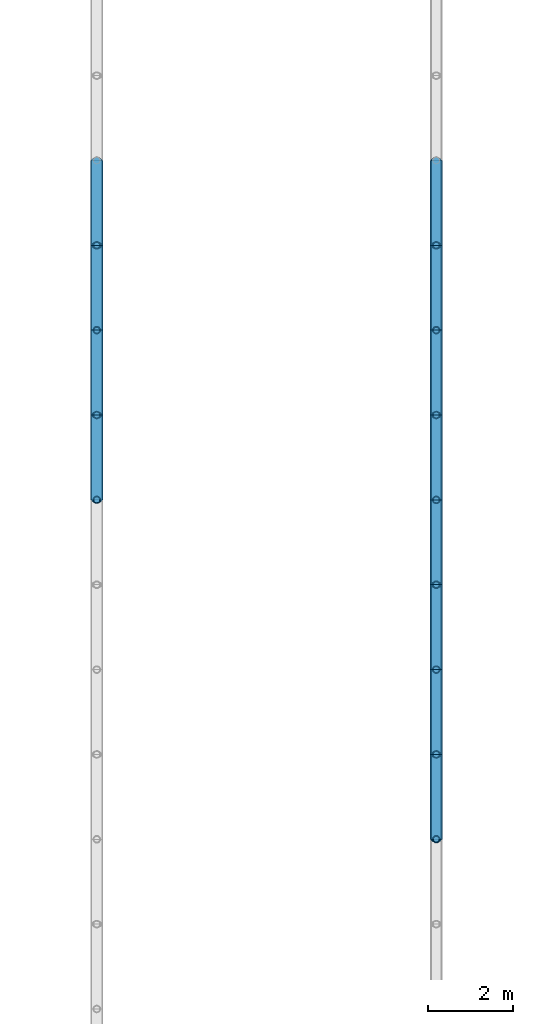
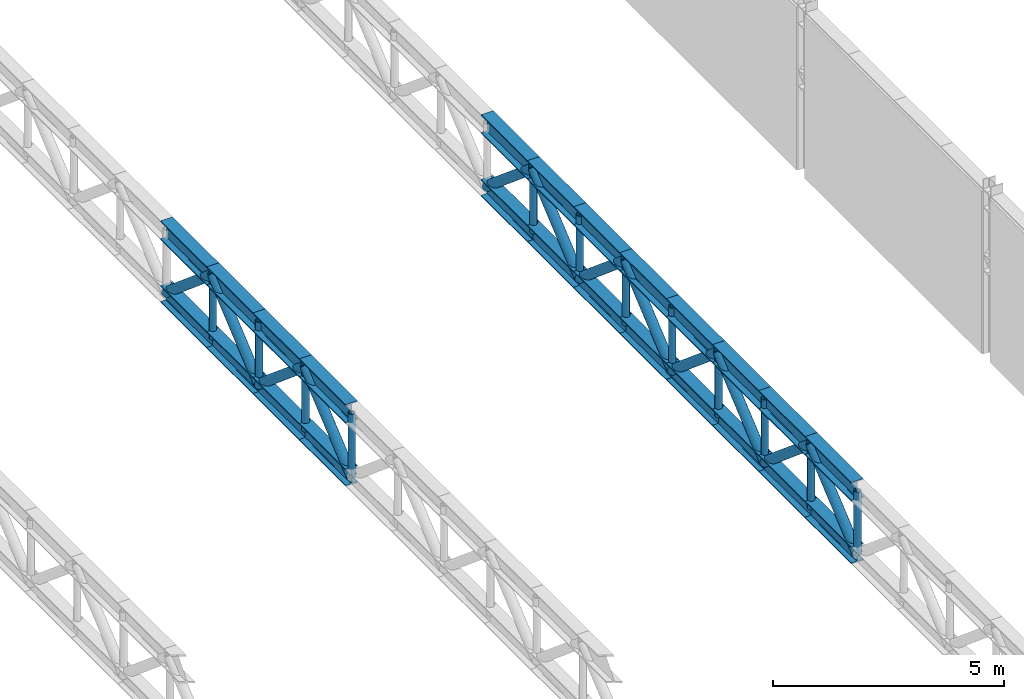
# One storey, part 25 of 67: 48 members.
"""IFC4 building model written with IfcOpenShell, lengths in metres."""

from ifc_helpers import new_model, si_unit, derived_unit, direction, frame, origin, origin_2d, place, context, subcontext, project, spatial, hollow_circle, i_section, extrude, material, material_profile, profile_set, type_object, element, save


model = new_model("IFC4")

# Units and contexts
model_context = context("Model", 3, precision=1e-05, world=origin(), true_north=direction((0.0, 1.0)))
body_context = subcontext(model_context, "Body", "Model", "MODEL_VIEW")
ifc_project = project(units=[si_unit("LENGTHUNIT", "METRE"), si_unit("AREAUNIT", "SQUARE_METRE"), si_unit("VOLUMEUNIT", "CUBIC_METRE"), si_unit("PLANEANGLEUNIT", "RADIAN"), si_unit("MASSUNIT", "GRAM", prefix="KILO"), derived_unit("THERMALTRANSMITTANCEUNIT", [(si_unit("POWERUNIT", "WATT"), 1), (si_unit("LENGTHUNIT", "METRE"), -2), (si_unit("THERMODYNAMICTEMPERATUREUNIT", "KELVIN"), -1)])], contexts=[model_context])

# Site, building, storey
site_placement = place(None, origin())
site = spatial("IfcSite", under=ifc_project, at=site_placement, CompositionType="ELEMENT")
building_placement = place(site_placement, origin())
building = spatial("IfcBuilding", under=site, at=building_placement, Name="Keldorne Ridge Multi-Sports Centre", CompositionType="ELEMENT")
storey_placement = place(building_placement, frame((0.0, 0.0, 14.0)))
storey = spatial("IfcBuildingStorey", under=building, at=storey_placement, Name="L03", CompositionType="ELEMENT", Elevation=14.0)

# Members
ifc_material = material(Name="Steel S355", Category="steel")
ifc_material_profile_1 = material_profile(ifc_material, i_section(OverallWidth=0.300048828125, OverallDepth=0.5, WebThickness=0.014404296875, FlangeThickness=0.028076171875, FilletRadius=0.027099609375, at=origin_2d()), Name="HEB 500")
ifc_profile_set_1 = profile_set([ifc_material_profile_1], Name="Steel S355")
member_type_1 = type_object("IfcMemberType", Name="MEM-TC-03", PredefinedType="CHORD", material=ifc_profile_set_1)
for number, where, z_axis, x_axis, name in (
    (1, (152.0, 30.0, 4.110107421875), (0.0, 1.0, 0.0), (-1.0, 0.0, 0.0), "Stacked Courts Warren TRUSS WT-L04-07 top chord 13"),
    (2, (152.0, 32.0, 4.110107421875), (0.0, 1.0, 0.0), (-1.0, 0.0, 0.0), "Stacked Courts Warren TRUSS WT-L04-07 top chord 14"),
    (3, (152.0, 34.0, 4.110107421875), (0.0, 1.0, 0.0), (-1.0, 0.0, 0.0), "Stacked Courts Warren TRUSS WT-L04-07 top chord 15"),
    (4, (152.0, 36.0, 4.110107421875), (0.0, 1.0, 0.0), (-1.0, 0.0, 0.0), "Stacked Courts Warren TRUSS WT-L04-07 top chord 16"),
    (5, (160.0, 22.0, 4.110107421875), (0.0, 1.0, 0.0), (-1.0, 0.0, 0.0), "Stacked Courts Warren TRUSS WT-L04-08 top chord 9"),
    (6, (160.0, 24.0, 4.110107421875), (0.0, 1.0, 0.0), (-1.0, 0.0, 0.0), "Stacked Courts Warren TRUSS WT-L04-08 top chord 10"),
    (7, (160.0, 26.0, 4.110107421875), (0.0, 1.0, 0.0), (-1.0, 0.0, 0.0), "Stacked Courts Warren TRUSS WT-L04-08 top chord 11"),
    (8, (160.0, 28.0, 4.110107421875), (0.0, 1.0, 0.0), (-1.0, 0.0, 0.0), "Stacked Courts Warren TRUSS WT-L04-08 top chord 12"),
    (9, (160.0, 30.0, 4.110107421875), (0.0, 1.0, 0.0), (-1.0, 0.0, 0.0), "Stacked Courts Warren TRUSS WT-L04-08 top chord 13"),
    (10, (160.0, 32.0, 4.110107421875), (0.0, 1.0, 0.0), (-1.0, 0.0, 0.0), "Stacked Courts Warren TRUSS WT-L04-08 top chord 14"),
    (11, (160.0, 34.0, 4.110107421875), (0.0, 1.0, 0.0), (-1.0, 0.0, 0.0), "Stacked Courts Warren TRUSS WT-L04-08 top chord 15"),
    (12, (160.0, 36.0, 4.110107421875), (0.0, 1.0, 0.0), (-1.0, 0.0, 0.0), "Stacked Courts Warren TRUSS WT-L04-08 top chord 16"),
):
    element("IfcMember", number, at=place(storey_placement, frame(where, z_axis=z_axis, x_axis=x_axis)), inside=storey, type_object=member_type_1, Name=name, PredefinedType="CHORD", context=body_context, shape_type="SweptSolid", body=[
        extrude(i_section(OverallWidth=0.300048828125, OverallDepth=0.5, WebThickness=0.014404296875, FlangeThickness=0.028076171875, FilletRadius=0.027099609375, at=origin_2d()), origin(), (0.0, 0.0, 1.0), 2.0),
    ])
ifc_material_profile_2 = material_profile(ifc_material, i_section(OverallWidth=0.300048828125, OverallDepth=0.449951171875, WebThickness=0.013916015625, FlangeThickness=0.02587890625, FilletRadius=0.027099609375, at=origin_2d()), Name="HEB 450")
ifc_profile_set_2 = profile_set([ifc_material_profile_2], Name="Steel S355")
member_type_2 = type_object("IfcMemberType", Name="MEM-TC-04", PredefinedType="CHORD", material=ifc_profile_set_2)
for number, where, z_axis, x_axis, name in (
    (13, (152.0, 30.0, 2.429931640625), (0.0, 1.0, 0.0), (-1.0, 0.0, 0.0), "Stacked Courts Warren TRUSS WT-L04-07 bottom chord 13"),
    (14, (152.0, 32.0, 2.429931640625), (0.0, 1.0, 0.0), (-1.0, 0.0, 0.0), "Stacked Courts Warren TRUSS WT-L04-07 bottom chord 14"),
    (15, (152.0, 34.0, 2.429931640625), (0.0, 1.0, 0.0), (-1.0, 0.0, 0.0), "Stacked Courts Warren TRUSS WT-L04-07 bottom chord 15"),
    (16, (152.0, 36.0, 2.429931640625), (0.0, 1.0, 0.0), (-1.0, 0.0, 0.0), "Stacked Courts Warren TRUSS WT-L04-07 bottom chord 16"),
    (17, (160.0, 22.0, 2.429931640625), (0.0, 1.0, 0.0), (-1.0, 0.0, 0.0), "Stacked Courts Warren TRUSS WT-L04-08 bottom chord 9"),
    (18, (160.0, 24.0, 2.429931640625), (0.0, 1.0, 0.0), (-1.0, 0.0, 0.0), "Stacked Courts Warren TRUSS WT-L04-08 bottom chord 10"),
    (19, (160.0, 26.0, 2.429931640625), (0.0, 1.0, 0.0), (-1.0, 0.0, 0.0), "Stacked Courts Warren TRUSS WT-L04-08 bottom chord 11"),
    (20, (160.0, 28.0, 2.429931640625), (0.0, 1.0, 0.0), (-1.0, 0.0, 0.0), "Stacked Courts Warren TRUSS WT-L04-08 bottom chord 12"),
    (21, (160.0, 30.0, 2.429931640625), (0.0, 1.0, 0.0), (-1.0, 0.0, 0.0), "Stacked Courts Warren TRUSS WT-L04-08 bottom chord 13"),
    (22, (160.0, 32.0, 2.429931640625), (0.0, 1.0, 0.0), (-1.0, 0.0, 0.0), "Stacked Courts Warren TRUSS WT-L04-08 bottom chord 14"),
    (23, (160.0, 34.0, 2.429931640625), (0.0, 1.0, 0.0), (-1.0, 0.0, 0.0), "Stacked Courts Warren TRUSS WT-L04-08 bottom chord 15"),
    (24, (160.0, 36.0, 2.429931640625), (0.0, 1.0, 0.0), (-1.0, 0.0, 0.0), "Stacked Courts Warren TRUSS WT-L04-08 bottom chord 16"),
):
    element("IfcMember", number, at=place(storey_placement, frame(where, z_axis=z_axis, x_axis=x_axis)), inside=storey, type_object=member_type_2, Name=name, PredefinedType="CHORD", context=body_context, shape_type="SweptSolid", body=[
        extrude(i_section(OverallWidth=0.300048828125, OverallDepth=0.449951171875, WebThickness=0.013916015625, FlangeThickness=0.02587890625, FilletRadius=0.027099609375, at=origin_2d()), origin(), (0.0, 0.0, 1.0), 2.0),
    ])
ifc_material_profile_3 = material_profile(ifc_material, hollow_circle(Radius=0.122314453125, WallThickness=0.012451171875, at=origin_2d()), Name="CHS 244.5x12.5")
ifc_profile_set_3 = profile_set([ifc_material_profile_3], Name="Steel S355")
member_type_3 = type_object("IfcMemberType", Name="MEM-TD-02", PredefinedType="BRACE", material=ifc_profile_set_3)
for number, where, z_axis, x_axis, name in (
    (25, (152.0, 30.0, 2.429931640625), (0.0, 0.765671721121, 0.643231541108), (-1.0, 0.0, 0.0), "Stacked Courts Warren TRUSS WT-L04-07 diagonal 13"),
    (26, (152.0, 32.0, 4.110107421875), (0.0, 0.765671721121, -0.643231541108), (-1.0, 0.0, 0.0), "Stacked Courts Warren TRUSS WT-L04-07 diagonal 14"),
    (27, (152.0, 34.0, 2.429931640625), (0.0, 0.765671721121, 0.643231541108), (-1.0, 0.0, 0.0), "Stacked Courts Warren TRUSS WT-L04-07 diagonal 15"),
    (28, (152.0, 36.0, 4.110107421875), (0.0, 0.765671721121, -0.643231541108), (-1.0, 0.0, 0.0), "Stacked Courts Warren TRUSS WT-L04-07 diagonal 16"),
    (29, (160.0, 22.0, 2.429931640625), (0.0, 0.765671721121, 0.643231541108), (-1.0, 0.0, 0.0), "Stacked Courts Warren TRUSS WT-L04-08 diagonal 9"),
    (30, (160.0, 24.0, 4.110107421875), (0.0, 0.765671721121, -0.643231541108), (-1.0, 0.0, 0.0), "Stacked Courts Warren TRUSS WT-L04-08 diagonal 10"),
    (31, (160.0, 26.0, 2.429931640625), (0.0, 0.765671721121, 0.643231541108), (-1.0, 0.0, 0.0), "Stacked Courts Warren TRUSS WT-L04-08 diagonal 11"),
    (32, (160.0, 28.0, 4.110107421875), (0.0, 0.765671721121, -0.643231541108), (-1.0, 0.0, 0.0), "Stacked Courts Warren TRUSS WT-L04-08 diagonal 12"),
    (33, (160.0, 30.0, 2.429931640625), (0.0, 0.765671721121, 0.643231541108), (-1.0, 0.0, 0.0), "Stacked Courts Warren TRUSS WT-L04-08 diagonal 13"),
    (34, (160.0, 32.0, 4.110107421875), (0.0, 0.765671721121, -0.643231541108), (-1.0, 0.0, 0.0), "Stacked Courts Warren TRUSS WT-L04-08 diagonal 14"),
    (35, (160.0, 34.0, 2.429931640625), (0.0, 0.765671721121, 0.643231541108), (-1.0, 0.0, 0.0), "Stacked Courts Warren TRUSS WT-L04-08 diagonal 15"),
    (36, (160.0, 36.0, 4.110107421875), (0.0, 0.765671721121, -0.643231541108), (-1.0, 0.0, 0.0), "Stacked Courts Warren TRUSS WT-L04-08 diagonal 16"),
):
    element("IfcMember", number, at=place(storey_placement, frame(where, z_axis=z_axis, x_axis=x_axis)), inside=storey, type_object=member_type_3, Name=name, PredefinedType="BRACE", context=body_context, shape_type="SweptSolid", body=[
        extrude(hollow_circle(Radius=0.122314453125, WallThickness=0.012451171875, at=origin_2d()), origin(), (0.0, 0.0, 1.0), 2.612060546875),
    ])
ifc_material_profile_4 = material_profile(ifc_material, hollow_circle(Radius=0.084228515625, WallThickness=0.010009765625, at=origin_2d()), Name="CHS 168.3x10")
ifc_profile_set_4 = profile_set([ifc_material_profile_4], Name="Steel S355")
member_type_4 = type_object("IfcMemberType", Name="MEM-TV-01", PredefinedType="STRUT", material=ifc_profile_set_4)
for number, where, z_axis, x_axis, name in (
    (37, (152.0, 30.0, 2.429931640625), (0.0, 0.0, 1.0), (1.0, 0.0, 0.0), "Stacked Courts Warren TRUSS WT-L04-07 post 13"),
    (38, (152.0, 32.0, 2.429931640625), (0.0, 0.0, 1.0), (1.0, 0.0, 0.0), "Stacked Courts Warren TRUSS WT-L04-07 post 14"),
    (39, (152.0, 34.0, 2.429931640625), (0.0, 0.0, 1.0), (1.0, 0.0, 0.0), "Stacked Courts Warren TRUSS WT-L04-07 post 15"),
    (40, (152.0, 36.0, 2.429931640625), (0.0, 0.0, 1.0), (1.0, 0.0, 0.0), "Stacked Courts Warren TRUSS WT-L04-07 post 16"),
    (41, (160.0, 22.0, 2.429931640625), (0.0, 0.0, 1.0), (1.0, 0.0, 0.0), "Stacked Courts Warren TRUSS WT-L04-08 post 9"),
    (42, (160.0, 24.0, 2.429931640625), (0.0, 0.0, 1.0), (1.0, 0.0, 0.0), "Stacked Courts Warren TRUSS WT-L04-08 post 10"),
    (43, (160.0, 26.0, 2.429931640625), (0.0, 0.0, 1.0), (1.0, 0.0, 0.0), "Stacked Courts Warren TRUSS WT-L04-08 post 11"),
    (44, (160.0, 28.0, 2.429931640625), (0.0, 0.0, 1.0), (1.0, 0.0, 0.0), "Stacked Courts Warren TRUSS WT-L04-08 post 12"),
    (45, (160.0, 30.0, 2.429931640625), (0.0, 0.0, 1.0), (1.0, 0.0, 0.0), "Stacked Courts Warren TRUSS WT-L04-08 post 13"),
    (46, (160.0, 32.0, 2.429931640625), (0.0, 0.0, 1.0), (1.0, 0.0, 0.0), "Stacked Courts Warren TRUSS WT-L04-08 post 14"),
    (47, (160.0, 34.0, 2.429931640625), (0.0, 0.0, 1.0), (1.0, 0.0, 0.0), "Stacked Courts Warren TRUSS WT-L04-08 post 15"),
    (48, (160.0, 36.0, 2.429931640625), (0.0, 0.0, 1.0), (1.0, 0.0, 0.0), "Stacked Courts Warren TRUSS WT-L04-08 post 16"),
):
    element("IfcMember", number, at=place(storey_placement, frame(where, z_axis=z_axis, x_axis=x_axis)), inside=storey, type_object=member_type_4, Name=name, PredefinedType="STRUT", context=body_context, shape_type="SweptSolid", body=[
        extrude(hollow_circle(Radius=0.084228515625, WallThickness=0.010009765625, at=origin_2d()), origin(), (0.0, 0.0, 1.0), 1.68017578125),
    ])

save(model, "model.ifc")
